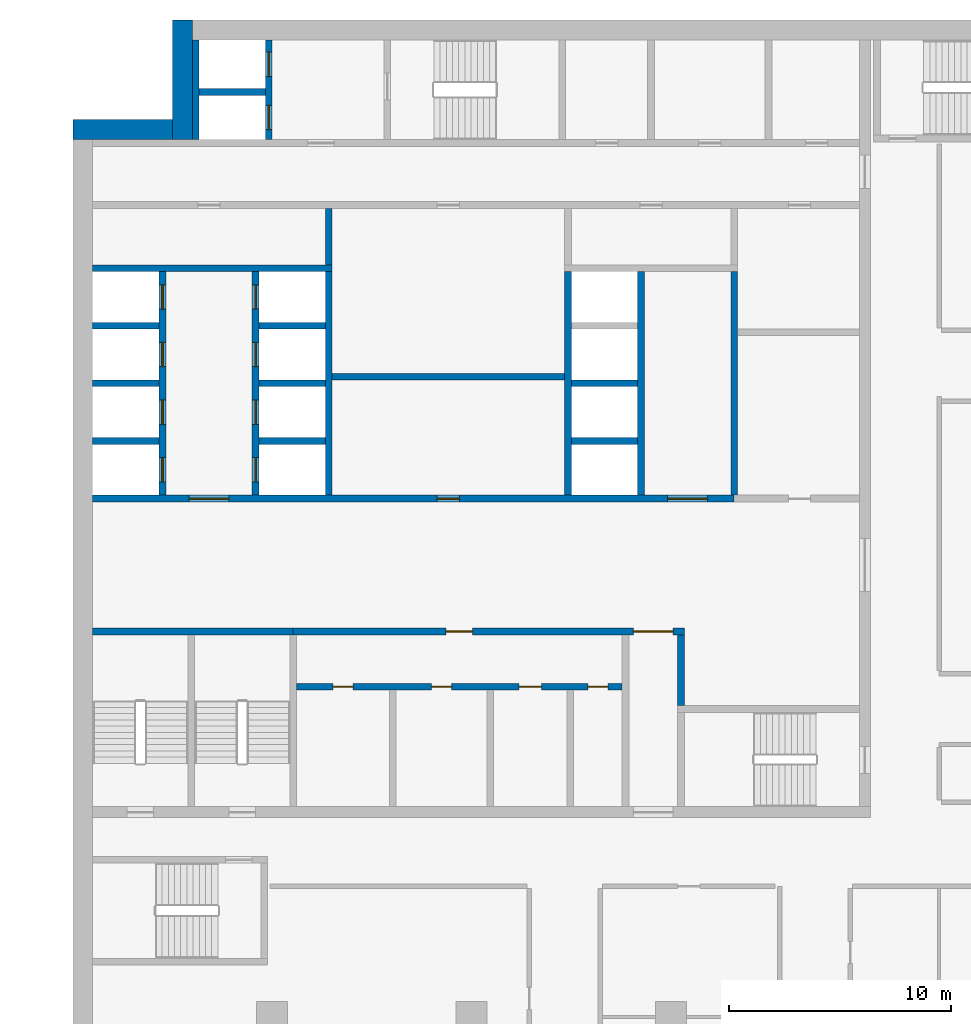
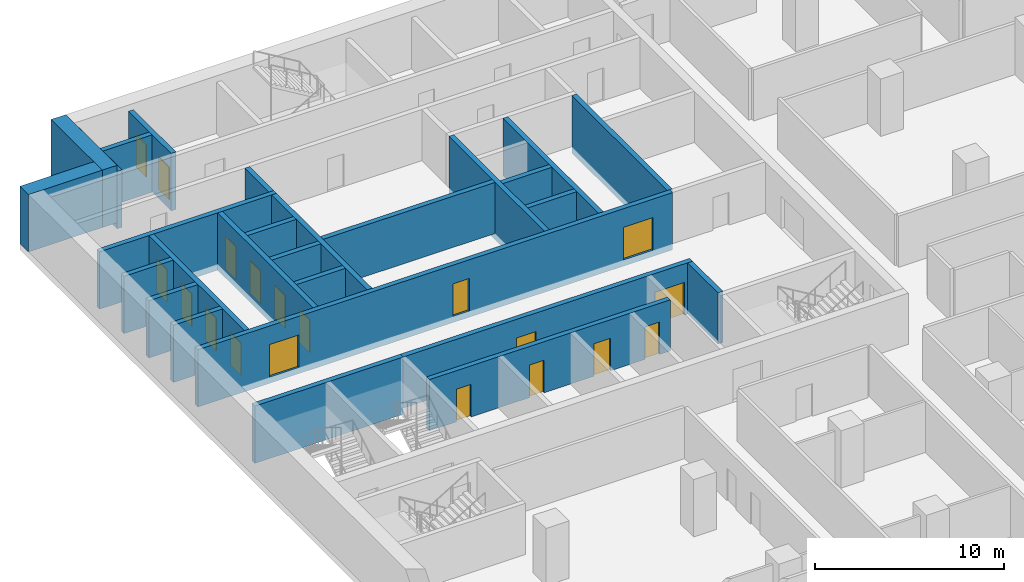
# One storey, part 14 of 28: 27 walls, 19 doors, 19 openings.
"""IFC4 building model written with IfcOpenShell, lengths in metres."""

from ifc_helpers import new_model, si_unit, direction, frame, frame_2d, origin, place, context, subcontext, project, spatial, rectangle, extrude, material, layer, layer_set, type_object, element, fill, save


model = new_model("IFC4")

# Units and contexts
model_context = context("Model", 3, precision=1e-05, world=origin(), true_north=direction((0.0, 1.0)))
body_context = subcontext(model_context, "Body", "Model", "MODEL_VIEW")
ifc_project = project(units=[si_unit("LENGTHUNIT", "METRE"), si_unit("AREAUNIT", "SQUARE_METRE"), si_unit("VOLUMEUNIT", "CUBIC_METRE"), si_unit("PLANEANGLEUNIT", "RADIAN"), si_unit("MASSUNIT", "GRAM", prefix="KILO")], contexts=[model_context])

# Site, building, storey
site_placement = place(None, origin())
site = spatial("IfcSite", under=ifc_project, at=site_placement, CompositionType="ELEMENT")
building_placement = place(site_placement, origin())
building = spatial("IfcBuilding", under=site, at=building_placement, Name="Hunhe Ridgeline Campus", CompositionType="ELEMENT")
storey_placement = place(building_placement, frame((0.0, 0.0, 61.699951171875)))
storey = spatial("IfcBuildingStorey", under=building, at=storey_placement, Name="L14", CompositionType="ELEMENT", Elevation=61.699951171875)

# Wall, openings, doors
ifc_material_1 = material(Name="Masonry concrete blockwork", Category="masonry")
ifc_layer_1 = layer(ifc_material_1, 0.300048828125)
ifc_layer_set_1 = layer_set([ifc_layer_1], Name="Core room partition 300 concrete block")
wall_type_1 = type_object("IfcWallType", Name="Core room partition 300 concrete block", PredefinedType="PARTITIONING", material=ifc_layer_set_1)
wall_1_placement = place(storey_placement, frame((10.10009765625, 68.89990234375, 0.0), z_axis=(0.0, 0.0, 1.0), x_axis=(1.0, 0.0, 0.0)))
wall_1 = element("IfcWall", 1, at=wall_1_placement, inside=storey, type_object=wall_type_1, Name="L14 core partition 11", PredefinedType="PARTITIONING", context=body_context, shape_type="SweptSolid", body=[
    extrude(rectangle(XDim=14.699951171875, YDim=0.300048828125, at=frame_2d((7.35009765625, 0.0))), origin(), (0.0, 0.0, 1.0), 3.300048828125),
])
opening_1_placement = place(wall_1_placement, frame((1.64990234375, 0.0, 0.0)))
opening_1 = element("IfcOpeningElement", 2, at=opening_1_placement, cuts=wall_1, Name="Opening CD8", PredefinedType="OPENING", context=body_context, shape_type="SweptSolid", body=[
    extrude(rectangle(XDim=0.89990234375, YDim=2.10009765625, at=frame_2d((0.449951171875, 1.050048828125))), frame((0.0, 0.14990234375, 0.0), z_axis=(0.0, -1.0, 0.0), x_axis=(1.0, 0.0, 0.0)), (0.0, 0.0, 1.0), 0.300048828125),
])
opening_2_placement = place(wall_1_placement, frame((6.10009765625, 0.0, 0.0)))
opening_2 = element("IfcOpeningElement", 3, at=opening_2_placement, cuts=wall_1, Name="Opening CD9", PredefinedType="OPENING", context=body_context, shape_type="SweptSolid", body=[
    extrude(rectangle(XDim=0.89990234375, YDim=2.10009765625, at=frame_2d((0.449951171875, 1.050048828125))), frame((0.0, 0.14990234375, 0.0), z_axis=(0.0, -1.0, 0.0), x_axis=(1.0, 0.0, 0.0)), (0.0, 0.0, 1.0), 0.300048828125),
])
opening_3_placement = place(wall_1_placement, frame((10.050048828125, 0.0, 0.0)))
opening_3 = element("IfcOpeningElement", 4, at=opening_3_placement, cuts=wall_1, Name="Opening CD10", PredefinedType="OPENING", context=body_context, shape_type="SweptSolid", body=[
    extrude(rectangle(XDim=1.0, YDim=2.10009765625, at=frame_2d((0.5, 1.050048828125))), frame((0.0, 0.14990234375, 0.0), z_axis=(0.0, -1.0, 0.0), x_axis=(1.0, 0.0, 0.0)), (0.0, 0.0, 1.0), 0.300048828125),
])
opening_4_placement = place(wall_1_placement, frame((13.14990234375, 0.0, 0.0)))
opening_4 = element("IfcOpeningElement", 5, at=opening_4_placement, cuts=wall_1, Name="Opening CD11", PredefinedType="OPENING", context=body_context, shape_type="SweptSolid", body=[
    extrude(rectangle(XDim=0.89990234375, YDim=2.10009765625, at=frame_2d((0.449951171875, 1.050048828125))), frame((0.0, 0.14990234375, 0.0), z_axis=(0.0, -1.0, 0.0), x_axis=(1.0, 0.0, 0.0)), (0.0, 0.0, 1.0), 0.300048828125),
])
ifc_material_2 = material(Name="Solid core timber door leaf", Category="wood")
door_type_1 = type_object("IfcDoorType", Name="Timber door 1000x2100", OperationType="SINGLE_SWING_LEFT", PredefinedType="DOOR", material=ifc_material_2)
door_1_placement = place(opening_3_placement, frame((1.0, 0.0, 0.0), z_axis=(0.0, 0.0, 1.0), x_axis=(-1.0, 0.0, 0.0)))
door_1 = element("IfcDoor", 6, at=door_1_placement, inside=storey, type_object=door_type_1, Name="L14 door WC3", OperationType="SINGLE_SWING_RIGHT", OverallHeight=2.10009765625, OverallWidth=1.0, PredefinedType="DOOR", context=body_context, shape_type="SweptSolid", body=[
    extrude(rectangle(XDim=1.0, YDim=2.10009765625, at=frame_2d((0.5, 1.050048828125))), frame((0.0, 0.02490234375, 0.0), z_axis=(0.0, -1.0, 0.0), x_axis=(1.0, 0.0, 0.0)), (0.0, 0.0, 1.0), 0.050048828125),
])
fill(opening_3, door_1)
door_type_2 = type_object("IfcDoorType", Name="Timber door 900x2100", OperationType="SINGLE_SWING_LEFT", PredefinedType="DOOR", material=ifc_material_2)
door_2_placement = place(opening_1_placement, frame((0.89990234375, 0.0, 0.0), z_axis=(0.0, 0.0, 1.0), x_axis=(-1.0, 0.0, 0.0)))
door_2 = element("IfcDoor", 7, at=door_2_placement, inside=storey, type_object=door_type_2, Name="L14 door WC1", OperationType="SINGLE_SWING_RIGHT", OverallHeight=2.10009765625, OverallWidth=0.89990234375, PredefinedType="DOOR", context=body_context, shape_type="SweptSolid", body=[
    extrude(rectangle(XDim=0.89990234375, YDim=2.10009765625, at=frame_2d((0.449951171875, 1.050048828125))), frame((0.0, 0.02490234375, 0.0), z_axis=(0.0, -1.0, 0.0), x_axis=(1.0, 0.0, 0.0)), (0.0, 0.0, 1.0), 0.050048828125),
])
fill(opening_1, door_2)
door_3_placement = place(opening_2_placement, frame((0.89990234375, 0.0, 0.0), z_axis=(0.0, 0.0, 1.0), x_axis=(-1.0, 0.0, 0.0)))
door_3 = element("IfcDoor", 8, at=door_3_placement, inside=storey, type_object=door_type_2, Name="L14 door WC2", OperationType="SINGLE_SWING_LEFT", OverallHeight=2.10009765625, OverallWidth=0.89990234375, PredefinedType="DOOR", context=body_context, shape_type="SweptSolid", body=[
    extrude(rectangle(XDim=0.89990234375, YDim=2.10009765625, at=frame_2d((0.449951171875, 1.050048828125))), frame((0.0, 0.02490234375, 0.0), z_axis=(0.0, -1.0, 0.0), x_axis=(1.0, 0.0, 0.0)), (0.0, 0.0, 1.0), 0.050048828125),
])
fill(opening_2, door_3)
door_4_placement = place(opening_4_placement, frame((0.89990234375, 0.0, 0.0), z_axis=(0.0, 0.0, 1.0), x_axis=(-1.0, 0.0, 0.0)))
door_4 = element("IfcDoor", 9, at=door_4_placement, inside=storey, type_object=door_type_2, Name="L14 door WC4", OperationType="SINGLE_SWING_LEFT", OverallHeight=2.10009765625, OverallWidth=0.89990234375, PredefinedType="DOOR", context=body_context, shape_type="SweptSolid", body=[
    extrude(rectangle(XDim=0.89990234375, YDim=2.10009765625, at=frame_2d((0.449951171875, 1.050048828125))), frame((0.0, 0.02490234375, 0.0), z_axis=(0.0, -1.0, 0.0), x_axis=(1.0, 0.0, 0.0)), (0.0, 0.0, 1.0), 0.050048828125),
])
fill(opening_4, door_4)

wall_2_placement = place(storey_placement, frame((9.949951171875, 71.39990234375, 0.0), z_axis=(0.0, 0.0, 1.0), x_axis=(1.0, 0.0, 0.0)))
wall_2 = element("IfcWall", 10, at=wall_2_placement, inside=storey, type_object=wall_type_1, Name="L14 core partition 13", PredefinedType="PARTITIONING", context=body_context, shape_type="SweptSolid", body=[
    extrude(rectangle(XDim=17.650146484375, YDim=0.300048828125, at=frame_2d((8.8251953125, 0.0))), origin(), (0.0, 0.0, 1.0), 3.300048828125),
])
opening_5_placement = place(wall_2_placement, frame((15.35009765625, 0.0, 0.0)))
opening_5 = element("IfcOpeningElement", 11, at=opening_5_placement, cuts=wall_2, Name="Opening CD7", PredefinedType="OPENING", context=body_context, shape_type="SweptSolid", body=[
    extrude(rectangle(XDim=1.800048828125, YDim=2.10009765625, at=frame_2d((0.89990234375, 1.050048828125))), frame((0.0, 0.14990234375, 0.0), z_axis=(0.0, -1.0, 0.0), x_axis=(1.0, 0.0, 0.0)), (0.0, 0.0, 1.0), 0.300048828125),
])
opening_6_placement = place(wall_2_placement, frame((6.89990234375, 0.0, 0.0)))
opening_6 = element("IfcOpeningElement", 12, at=opening_6_placement, cuts=wall_2, Name="Opening CD37", PredefinedType="OPENING", context=body_context, shape_type="SweptSolid", body=[
    extrude(rectangle(XDim=1.199951171875, YDim=2.10009765625, at=frame_2d((0.60009765625, 1.050048828125))), frame((0.0, 0.14990234375, 0.0), z_axis=(0.0, -1.0, 0.0), x_axis=(1.0, 0.0, 0.0)), (0.0, 0.0, 1.0), 0.300048828125),
])
ifc_material_3 = material(Name="Anodised aluminium and glass", Category="aluminium")
door_type_3 = type_object("IfcDoorType", Name="Glazed double door 1800x2100", OperationType="DOUBLE_DOOR_SINGLE_SWING", PredefinedType="DOOR", material=ifc_material_3)
door_5_placement = place(opening_5_placement, origin())
door_5 = element("IfcDoor", 13, at=door_5_placement, inside=storey, type_object=door_type_3, Name="L14 door VEST-HALL", OperationType="DOUBLE_DOOR_SINGLE_SWING", OverallHeight=2.10009765625, OverallWidth=1.800048828125, PredefinedType="DOOR", context=body_context, shape_type="SweptSolid", body=[
    extrude(rectangle(XDim=1.800048828125, YDim=2.10009765625, at=frame_2d((0.89990234375, 1.050048828125))), frame((0.0, 0.02490234375, 0.0), z_axis=(0.0, -1.0, 0.0), x_axis=(1.0, 0.0, 0.0)), (0.0, 0.0, 1.0), 0.050048828125),
])
fill(opening_5, door_5)
door_type_4 = type_object("IfcDoorType", Name="Timber door 1200x2100", OperationType="SINGLE_SWING_LEFT", PredefinedType="DOOR", material=ifc_material_2)
door_6_placement = place(opening_6_placement, origin())
door_6 = element("IfcDoor", 14, at=door_6_placement, inside=storey, type_object=door_type_4, Name="L14 door WCL1-HALL", OperationType="SINGLE_SWING_LEFT", OverallHeight=2.10009765625, OverallWidth=1.199951171875, PredefinedType="DOOR", context=body_context, shape_type="SweptSolid", body=[
    extrude(rectangle(XDim=1.199951171875, YDim=2.10009765625, at=frame_2d((0.60009765625, 1.050048828125))), frame((0.0, 0.02490234375, 0.0), z_axis=(0.0, -1.0, 0.0), x_axis=(1.0, 0.0, 0.0)), (0.0, 0.0, 1.0), 0.050048828125),
])
fill(opening_6, door_6)

# Walls
wall_3_placement = place(storey_placement, frame((11.699951171875, 82.89990234375, 0.0), z_axis=(0.0, 0.0, 1.0), x_axis=(1.0, 0.0, 0.0)))
element("IfcWall", 15, at=wall_3_placement, inside=storey, type_object=wall_type_1, Name="L14 core partition 22", PredefinedType="PARTITIONING", context=body_context, shape_type="SweptSolid", body=[
    extrude(rectangle(XDim=10.5, YDim=0.300048828125, at=frame_2d((5.25, 0.0))), origin(), (0.0, 0.0, 1.0), 3.300048828125),
])
wall_4_placement = place(storey_placement, frame((11.550048828125, 87.949951171875, 0.0), z_axis=(0.0, 0.0, 1.0), x_axis=(0.0, 1.0, 0.0)))
element("IfcWall", 16, at=wall_4_placement, inside=storey, type_object=wall_type_1, Name="L14 core partition 45", PredefinedType="PARTITIONING", context=body_context, shape_type="SweptSolid", body=[
    extrude(rectangle(XDim=2.550048828125, YDim=0.300048828125, at=frame_2d((1.27490234375, 0.0))), origin(), (0.0, 0.0, 1.0), 3.300048828125),
])
wall_5_placement = place(storey_placement, frame((27.449951171875, 68.050048828125, 0.0), z_axis=(0.0, 0.0, 1.0), x_axis=(0.0, 1.0, 0.0)))
element("IfcWall", 17, at=wall_5_placement, inside=storey, type_object=wall_type_1, Name="L14 core partition 59", PredefinedType="PARTITIONING", context=body_context, shape_type="SweptSolid", body=[
    extrude(rectangle(XDim=3.199951171875, YDim=0.300048828125, at=frame_2d((1.60009765625, 0.0))), origin(), (0.0, 0.0, 1.0), 3.300048828125),
])
ifc_material_4 = material(Name="Concrete C80", Category="concrete")
ifc_layer_2 = layer(ifc_material_4, 0.300048828125)
ifc_layer_set_2 = layer_set([ifc_layer_2], Name="Lobby wall 300 reinforced concrete C80")
wall_type_2 = type_object("IfcWallType", Name="Lobby wall 300 reinforced concrete C80", PredefinedType="SOLIDWALL", material=ifc_layer_set_2)
wall_6_placement = place(storey_placement, frame((29.85009765625, 77.550048828125, -0.39990234375), z_axis=(0.0, 0.0, 1.0), x_axis=(0.0, 1.0, 0.0)))
element("IfcWall", 18, at=wall_6_placement, inside=storey, type_object=wall_type_2, Name="L14 core wall 60", PredefinedType="SOLIDWALL", context=body_context, shape_type="SweptSolid", body=[
    extrude(rectangle(XDim=10.099853515625, YDim=0.300048828125, at=frame_2d((5.0498046875, 0.0))), origin(), (0.0, 0.0, 1.0), 3.699951171875),
])

# Wall, openings, doors
ifc_layer_3 = layer(ifc_material_4, 0.300048828125)
ifc_layer_set_3 = layer_set([ifc_layer_3], Name="Shaft wall 300 reinforced concrete C80")
wall_type_3 = type_object("IfcWallType", Name="Shaft wall 300 reinforced concrete C80", PredefinedType="SOLIDWALL", material=ifc_layer_set_3)
wall_7_placement = place(storey_placement, frame((0.89990234375, 77.39990234375, -0.39990234375), z_axis=(0.0, 0.0, 1.0), x_axis=(1.0, 0.0, 0.0)))
wall_7 = element("IfcWall", 19, at=wall_7_placement, inside=storey, type_object=wall_type_3, Name="L14 core wall 14", PredefinedType="SOLIDWALL", context=body_context, shape_type="SweptSolid", body=[
    extrude(rectangle(XDim=28.9501953125, YDim=0.300048828125, at=frame_2d((14.47509765625, 0.0))), origin(), (0.0, 0.0, 1.0), 3.699951171875),
])
opening_7_placement = place(wall_7_placement, frame((4.35009765625, 0.0, 0.39990234375)))
opening_7 = element("IfcOpeningElement", 20, at=opening_7_placement, cuts=wall_7, Name="Opening CD1", PredefinedType="OPENING", context=body_context, shape_type="SweptSolid", body=[
    extrude(rectangle(XDim=1.800048828125, YDim=2.10009765625, at=frame_2d((0.89990234375, 1.050048828125))), frame((0.0, 0.14990234375, 0.0), z_axis=(0.0, -1.0, 0.0), x_axis=(1.0, 0.0, 0.0)), (0.0, 0.0, 1.0), 0.300048828125),
])
opening_8_placement = place(wall_7_placement, frame((25.949951171875, 0.0, 0.39990234375)))
opening_8 = element("IfcOpeningElement", 21, at=opening_8_placement, cuts=wall_7, Name="Opening CD2", PredefinedType="OPENING", context=body_context, shape_type="SweptSolid", body=[
    extrude(rectangle(XDim=1.800048828125, YDim=2.10009765625, at=frame_2d((0.89990234375, 1.050048828125))), frame((0.0, 0.14990234375, 0.0), z_axis=(0.0, -1.0, 0.0), x_axis=(1.0, 0.0, 0.0)), (0.0, 0.0, 1.0), 0.300048828125),
])
opening_9_placement = place(wall_7_placement, frame((15.550048828125, 0.0, 0.39990234375)))
opening_9 = element("IfcOpeningElement", 22, at=opening_9_placement, cuts=wall_7, Name="Opening CD28", PredefinedType="OPENING", context=body_context, shape_type="SweptSolid", body=[
    extrude(rectangle(XDim=1.0, YDim=2.10009765625, at=frame_2d((0.5, 1.050048828125))), frame((0.0, 0.14990234375, 0.0), z_axis=(0.0, -1.0, 0.0), x_axis=(1.0, 0.0, 0.0)), (0.0, 0.0, 1.0), 0.300048828125),
])
ifc_material_5 = material(Name="Hollow metal fire door leaf")
door_type_5 = type_object("IfcDoorType", Name="Lobby door 1800x2100 FD60", OperationType="SINGLE_SWING_LEFT", PredefinedType="DOOR", material=ifc_material_5)
door_7_placement = place(opening_7_placement, frame((1.800048828125, 0.0, 0.0), z_axis=(0.0, 0.0, 1.0), x_axis=(-1.0, 0.0, 0.0)))
door_7 = element("IfcDoor", 23, at=door_7_placement, inside=storey, type_object=door_type_5, Name="L14 door LOB-LR", OperationType="SINGLE_SWING_RIGHT", OverallHeight=2.10009765625, OverallWidth=1.800048828125, PredefinedType="DOOR", context=body_context, shape_type="SweptSolid", body=[
    extrude(rectangle(XDim=1.800048828125, YDim=2.10009765625, at=frame_2d((0.89990234375, 1.050048828125))), frame((0.0, 0.02490234375, 0.0), z_axis=(0.0, -1.0, 0.0), x_axis=(1.0, 0.0, 0.0)), (0.0, 0.0, 1.0), 0.050048828125),
])
fill(opening_7, door_7)
door_8_placement = place(opening_8_placement, frame((1.800048828125, 0.0, 0.0), z_axis=(0.0, 0.0, 1.0), x_axis=(-1.0, 0.0, 0.0)))
door_8 = element("IfcDoor", 24, at=door_8_placement, inside=storey, type_object=door_type_5, Name="L14 door LOB-SH", OperationType="SINGLE_SWING_LEFT", OverallHeight=2.10009765625, OverallWidth=1.800048828125, PredefinedType="DOOR", context=body_context, shape_type="SweptSolid", body=[
    extrude(rectangle(XDim=1.800048828125, YDim=2.10009765625, at=frame_2d((0.89990234375, 1.050048828125))), frame((0.0, 0.02490234375, 0.0), z_axis=(0.0, -1.0, 0.0), x_axis=(1.0, 0.0, 0.0)), (0.0, 0.0, 1.0), 0.050048828125),
])
fill(opening_8, door_8)
door_9_placement = place(opening_9_placement, origin())
door_9 = element("IfcDoor", 25, at=door_9_placement, inside=storey, type_object=door_type_1, Name="L14 door VD-HR0", OperationType="SINGLE_SWING_LEFT", OverallHeight=2.10009765625, OverallWidth=1.0, PredefinedType="DOOR", context=body_context, shape_type="SweptSolid", body=[
    extrude(rectangle(XDim=1.0, YDim=2.10009765625, at=frame_2d((0.5, 1.050048828125))), frame((0.0, 0.02490234375, 0.0), z_axis=(0.0, -1.0, 0.0), x_axis=(1.0, 0.0, 0.0)), (0.0, 0.0, 1.0), 0.050048828125),
])
fill(opening_9, door_9)

# Walls
for number, where, z_axis, x_axis, name in (
    (26, (0.89990234375, 80.0, -0.39990234375), (0.0, 0.0, 1.0), (1.0, 0.0, 0.0), "L14 core wall 16"),
    (27, (8.39990234375, 80.0, -0.39990234375), (0.0, 0.0, 1.0), (1.0, 0.0, 0.0), "L14 core wall 17"),
    (28, (22.5, 80.0, -0.39990234375), (0.0, 0.0, 1.0), (1.0, 0.0, 0.0), "L14 core wall 18"),
    (29, (0.89990234375, 82.60009765625, -0.39990234375), (0.0, 0.0, 1.0), (1.0, 0.0, 0.0), "L14 core wall 19"),
    (30, (8.39990234375, 82.60009765625, -0.39990234375), (0.0, 0.0, 1.0), (1.0, 0.0, 0.0), "L14 core wall 20"),
    (31, (22.5, 82.60009765625, -0.39990234375), (0.0, 0.0, 1.0), (1.0, 0.0, 0.0), "L14 core wall 21"),
    (32, (0.89990234375, 85.199951171875, -0.39990234375), (0.0, 0.0, 1.0), (1.0, 0.0, 0.0), "L14 core wall 24"),
    (33, (8.39990234375, 85.199951171875, -0.39990234375), (0.0, 0.0, 1.0), (1.0, 0.0, 0.0), "L14 core wall 25"),
):
    element("IfcWall", number, at=place(storey_placement, frame(where, z_axis=z_axis, x_axis=x_axis)), inside=storey, type_object=wall_type_3, Name=name, PredefinedType="SOLIDWALL", context=body_context, shape_type="SweptSolid", body=[
        extrude(rectangle(XDim=3.0, YDim=0.300048828125, at=frame_2d((1.5, 0.0))), origin(), (0.0, 0.0, 1.0), 3.699951171875),
    ])
wall_8_placement = place(storey_placement, frame((0.89990234375, 87.800048828125, -0.39990234375), z_axis=(0.0, 0.0, 1.0), x_axis=(1.0, 0.0, 0.0)))
element("IfcWall", 34, at=wall_8_placement, inside=storey, type_object=wall_type_3, Name="L14 core wall 27", PredefinedType="SOLIDWALL", context=body_context, shape_type="SweptSolid", body=[
    extrude(rectangle(XDim=10.800048828125, YDim=0.300048828125, at=frame_2d((5.39990234375, 0.0))), origin(), (0.0, 0.0, 1.0), 3.699951171875),
])
wall_9_placement = place(storey_placement, frame((5.699951171875, 95.75, -0.39990234375), z_axis=(0.0, 0.0, 1.0), x_axis=(1.0, 0.0, 0.0)))
element("IfcWall", 35, at=wall_9_placement, inside=storey, type_object=wall_type_3, Name="L14 core wall 35", PredefinedType="SOLIDWALL", context=body_context, shape_type="SweptSolid", body=[
    extrude(rectangle(XDim=3.0, YDim=0.300048828125, at=frame_2d((1.5, 0.0))), origin(), (0.0, 0.0, 1.0), 3.699951171875),
])

# Wall, openings, doors
wall_10_placement = place(storey_placement, frame((4.050048828125, 77.550048828125, -0.39990234375), z_axis=(0.0, 0.0, 1.0), x_axis=(0.0, 1.0, 0.0)))
wall_10 = element("IfcWall", 36, at=wall_10_placement, inside=storey, type_object=wall_type_3, Name="L14 core wall 36", PredefinedType="SOLIDWALL", context=body_context, shape_type="SweptSolid", body=[
    extrude(rectangle(XDim=10.099853515625, YDim=0.300048828125, at=frame_2d((5.0498046875, 0.0))), origin(), (0.0, 0.0, 1.0), 3.699951171875),
])
opening_10_placement = place(wall_10_placement, frame((0.60009765625, 0.0, 0.39990234375)))
opening_10 = element("IfcOpeningElement", 37, at=opening_10_placement, cuts=wall_10, Name="Opening LD-LR1", PredefinedType="OPENING", context=body_context, shape_type="SweptSolid", body=[
    extrude(rectangle(XDim=1.10009765625, YDim=2.10009765625, at=frame_2d((0.550048828125, 1.050048828125))), frame((0.0, 0.14990234375, 0.0), z_axis=(0.0, -1.0, 0.0), x_axis=(1.0, 0.0, 0.0)), (0.0, 0.0, 1.0), 0.300048828125),
])
opening_11_placement = place(wall_10_placement, frame((3.199951171875, 0.0, 0.39990234375)))
opening_11 = element("IfcOpeningElement", 38, at=opening_11_placement, cuts=wall_10, Name="Opening LD-LR2", PredefinedType="OPENING", context=body_context, shape_type="SweptSolid", body=[
    extrude(rectangle(XDim=1.10009765625, YDim=2.10009765625, at=frame_2d((0.550048828125, 1.050048828125))), frame((0.0, 0.14990234375, 0.0), z_axis=(0.0, -1.0, 0.0), x_axis=(1.0, 0.0, 0.0)), (0.0, 0.0, 1.0), 0.300048828125),
])
opening_12_placement = place(wall_10_placement, frame((5.800048828125, 0.0, 0.39990234375)))
opening_12 = element("IfcOpeningElement", 39, at=opening_12_placement, cuts=wall_10, Name="Opening LD-LR3", PredefinedType="OPENING", context=body_context, shape_type="SweptSolid", body=[
    extrude(rectangle(XDim=1.10009765625, YDim=2.10009765625, at=frame_2d((0.550048828125, 1.050048828125))), frame((0.0, 0.14990234375, 0.0), z_axis=(0.0, -1.0, 0.0), x_axis=(1.0, 0.0, 0.0)), (0.0, 0.0, 1.0), 0.300048828125),
])
opening_13_placement = place(wall_10_placement, frame((8.39990234375, 0.0, 0.39990234375)))
opening_13 = element("IfcOpeningElement", 40, at=opening_13_placement, cuts=wall_10, Name="Opening LD-LR4", PredefinedType="OPENING", context=body_context, shape_type="SweptSolid", body=[
    extrude(rectangle(XDim=1.10009765625, YDim=2.10009765625, at=frame_2d((0.550048828125, 1.050048828125))), frame((0.0, 0.14990234375, 0.0), z_axis=(0.0, -1.0, 0.0), x_axis=(1.0, 0.0, 0.0)), (0.0, 0.0, 1.0), 0.300048828125),
])
ifc_material_6 = material(Name="Stainless steel sliding leaves", Category="steel")
door_type_6 = type_object("IfcDoorType", Name="Landing door 1100x2100 FD120", OperationType="SLIDING_TO_LEFT", PredefinedType="DOOR", material=ifc_material_6)
door_10_placement = place(opening_10_placement, origin())
door_10 = element("IfcDoor", 41, at=door_10_placement, inside=storey, type_object=door_type_6, Name="L14 landing door LR1", OperationType="SLIDING_TO_RIGHT", OverallHeight=2.10009765625, OverallWidth=1.10009765625, PredefinedType="DOOR", context=body_context, shape_type="SweptSolid", body=[
    extrude(rectangle(XDim=1.10009765625, YDim=2.10009765625, at=frame_2d((0.550048828125, 1.050048828125))), frame((0.0, 0.02490234375, 0.0), z_axis=(0.0, -1.0, 0.0), x_axis=(1.0, 0.0, 0.0)), (0.0, 0.0, 1.0), 0.050048828125),
])
fill(opening_10, door_10)
door_11_placement = place(opening_11_placement, origin())
door_11 = element("IfcDoor", 42, at=door_11_placement, inside=storey, type_object=door_type_6, Name="L14 landing door LR2", OperationType="SLIDING_TO_LEFT", OverallHeight=2.10009765625, OverallWidth=1.10009765625, PredefinedType="DOOR", context=body_context, shape_type="SweptSolid", body=[
    extrude(rectangle(XDim=1.10009765625, YDim=2.10009765625, at=frame_2d((0.550048828125, 1.050048828125))), frame((0.0, 0.02490234375, 0.0), z_axis=(0.0, -1.0, 0.0), x_axis=(1.0, 0.0, 0.0)), (0.0, 0.0, 1.0), 0.050048828125),
])
fill(opening_11, door_11)
door_12_placement = place(opening_12_placement, origin())
door_12 = element("IfcDoor", 43, at=door_12_placement, inside=storey, type_object=door_type_6, Name="L14 landing door LR3", OperationType="SLIDING_TO_RIGHT", OverallHeight=2.10009765625, OverallWidth=1.10009765625, PredefinedType="DOOR", context=body_context, shape_type="SweptSolid", body=[
    extrude(rectangle(XDim=1.10009765625, YDim=2.10009765625, at=frame_2d((0.550048828125, 1.050048828125))), frame((0.0, 0.02490234375, 0.0), z_axis=(0.0, -1.0, 0.0), x_axis=(1.0, 0.0, 0.0)), (0.0, 0.0, 1.0), 0.050048828125),
])
fill(opening_12, door_12)
door_13_placement = place(opening_13_placement, origin())
door_13 = element("IfcDoor", 44, at=door_13_placement, inside=storey, type_object=door_type_6, Name="L14 landing door LR4", OperationType="SLIDING_TO_LEFT", OverallHeight=2.10009765625, OverallWidth=1.10009765625, PredefinedType="DOOR", context=body_context, shape_type="SweptSolid", body=[
    extrude(rectangle(XDim=1.10009765625, YDim=2.10009765625, at=frame_2d((0.550048828125, 1.050048828125))), frame((0.0, 0.02490234375, 0.0), z_axis=(0.0, -1.0, 0.0), x_axis=(1.0, 0.0, 0.0)), (0.0, 0.0, 1.0), 0.050048828125),
])
fill(opening_13, door_13)

# Wall
wall_11_placement = place(storey_placement, frame((5.550048828125, 93.60009765625, -0.39990234375), z_axis=(0.0, 0.0, 1.0), x_axis=(0.0, 1.0, 0.0)))
element("IfcWall", 45, at=wall_11_placement, inside=storey, type_object=wall_type_3, Name="L14 core wall 38", PredefinedType="SOLIDWALL", context=body_context, shape_type="SweptSolid", body=[
    extrude(rectangle(XDim=4.5, YDim=0.300048828125, at=frame_2d((2.25, 0.0))), origin(), (0.0, 0.0, 1.0), 3.699951171875),
])

# Wall, openings, doors
wall_12_placement = place(storey_placement, frame((8.25, 77.550048828125, -0.39990234375), z_axis=(0.0, 0.0, 1.0), x_axis=(0.0, 1.0, 0.0)))
wall_12 = element("IfcWall", 46, at=wall_12_placement, inside=storey, type_object=wall_type_3, Name="L14 core wall 39", PredefinedType="SOLIDWALL", context=body_context, shape_type="SweptSolid", body=[
    extrude(rectangle(XDim=10.099853515625, YDim=0.300048828125, at=frame_2d((5.0498046875, 0.0))), origin(), (0.0, 0.0, 1.0), 3.699951171875),
])
opening_14_placement = place(wall_12_placement, frame((0.60009765625, 0.0, 0.39990234375)))
opening_14 = element("IfcOpeningElement", 47, at=opening_14_placement, cuts=wall_12, Name="Opening LD-LR5", PredefinedType="OPENING", context=body_context, shape_type="SweptSolid", body=[
    extrude(rectangle(XDim=1.10009765625, YDim=2.10009765625, at=frame_2d((0.550048828125, 1.050048828125))), frame((0.0, 0.14990234375, 0.0), z_axis=(0.0, -1.0, 0.0), x_axis=(1.0, 0.0, 0.0)), (0.0, 0.0, 1.0), 0.300048828125),
])
opening_15_placement = place(wall_12_placement, frame((3.199951171875, 0.0, 0.39990234375)))
opening_15 = element("IfcOpeningElement", 48, at=opening_15_placement, cuts=wall_12, Name="Opening LD-LR6", PredefinedType="OPENING", context=body_context, shape_type="SweptSolid", body=[
    extrude(rectangle(XDim=1.10009765625, YDim=2.10009765625, at=frame_2d((0.550048828125, 1.050048828125))), frame((0.0, 0.14990234375, 0.0), z_axis=(0.0, -1.0, 0.0), x_axis=(1.0, 0.0, 0.0)), (0.0, 0.0, 1.0), 0.300048828125),
])
opening_16_placement = place(wall_12_placement, frame((5.800048828125, 0.0, 0.39990234375)))
opening_16 = element("IfcOpeningElement", 49, at=opening_16_placement, cuts=wall_12, Name="Opening LD-LR7", PredefinedType="OPENING", context=body_context, shape_type="SweptSolid", body=[
    extrude(rectangle(XDim=1.10009765625, YDim=2.10009765625, at=frame_2d((0.550048828125, 1.050048828125))), frame((0.0, 0.14990234375, 0.0), z_axis=(0.0, -1.0, 0.0), x_axis=(1.0, 0.0, 0.0)), (0.0, 0.0, 1.0), 0.300048828125),
])
opening_17_placement = place(wall_12_placement, frame((8.39990234375, 0.0, 0.39990234375)))
opening_17 = element("IfcOpeningElement", 50, at=opening_17_placement, cuts=wall_12, Name="Opening LD-LR8", PredefinedType="OPENING", context=body_context, shape_type="SweptSolid", body=[
    extrude(rectangle(XDim=1.10009765625, YDim=2.10009765625, at=frame_2d((0.550048828125, 1.050048828125))), frame((0.0, 0.14990234375, 0.0), z_axis=(0.0, -1.0, 0.0), x_axis=(1.0, 0.0, 0.0)), (0.0, 0.0, 1.0), 0.300048828125),
])
door_14_placement = place(opening_14_placement, origin())
door_14 = element("IfcDoor", 51, at=door_14_placement, inside=storey, type_object=door_type_6, Name="L14 landing door LR5", OperationType="SLIDING_TO_RIGHT", OverallHeight=2.10009765625, OverallWidth=1.10009765625, PredefinedType="DOOR", context=body_context, shape_type="SweptSolid", body=[
    extrude(rectangle(XDim=1.10009765625, YDim=2.10009765625, at=frame_2d((0.550048828125, 1.050048828125))), frame((0.0, 0.02490234375, 0.0), z_axis=(0.0, -1.0, 0.0), x_axis=(1.0, 0.0, 0.0)), (0.0, 0.0, 1.0), 0.050048828125),
])
fill(opening_14, door_14)
door_15_placement = place(opening_15_placement, origin())
door_15 = element("IfcDoor", 52, at=door_15_placement, inside=storey, type_object=door_type_6, Name="L14 landing door LR6", OperationType="SLIDING_TO_LEFT", OverallHeight=2.10009765625, OverallWidth=1.10009765625, PredefinedType="DOOR", context=body_context, shape_type="SweptSolid", body=[
    extrude(rectangle(XDim=1.10009765625, YDim=2.10009765625, at=frame_2d((0.550048828125, 1.050048828125))), frame((0.0, 0.02490234375, 0.0), z_axis=(0.0, -1.0, 0.0), x_axis=(1.0, 0.0, 0.0)), (0.0, 0.0, 1.0), 0.050048828125),
])
fill(opening_15, door_15)
door_16_placement = place(opening_16_placement, origin())
door_16 = element("IfcDoor", 53, at=door_16_placement, inside=storey, type_object=door_type_6, Name="L14 landing door LR7", OperationType="SLIDING_TO_RIGHT", OverallHeight=2.10009765625, OverallWidth=1.10009765625, PredefinedType="DOOR", context=body_context, shape_type="SweptSolid", body=[
    extrude(rectangle(XDim=1.10009765625, YDim=2.10009765625, at=frame_2d((0.550048828125, 1.050048828125))), frame((0.0, 0.02490234375, 0.0), z_axis=(0.0, -1.0, 0.0), x_axis=(1.0, 0.0, 0.0)), (0.0, 0.0, 1.0), 0.050048828125),
])
fill(opening_16, door_16)
door_17_placement = place(opening_17_placement, origin())
door_17 = element("IfcDoor", 54, at=door_17_placement, inside=storey, type_object=door_type_6, Name="L14 landing door LR8", OperationType="SLIDING_TO_LEFT", OverallHeight=2.10009765625, OverallWidth=1.10009765625, PredefinedType="DOOR", context=body_context, shape_type="SweptSolid", body=[
    extrude(rectangle(XDim=1.10009765625, YDim=2.10009765625, at=frame_2d((0.550048828125, 1.050048828125))), frame((0.0, 0.02490234375, 0.0), z_axis=(0.0, -1.0, 0.0), x_axis=(1.0, 0.0, 0.0)), (0.0, 0.0, 1.0), 0.050048828125),
])
fill(opening_17, door_17)

wall_13_placement = place(storey_placement, frame((8.85009765625, 93.60009765625, -0.39990234375), z_axis=(0.0, 0.0, 1.0), x_axis=(0.0, 1.0, 0.0)))
wall_13 = element("IfcWall", 55, at=wall_13_placement, inside=storey, type_object=wall_type_3, Name="L14 core wall 42", PredefinedType="SOLIDWALL", context=body_context, shape_type="SweptSolid", body=[
    extrude(rectangle(XDim=4.5, YDim=0.300048828125, at=frame_2d((2.25, 0.0))), origin(), (0.0, 0.0, 1.0), 3.699951171875),
])
opening_18_placement = place(wall_13_placement, frame((0.449951171875, 0.0, 0.39990234375)))
opening_18 = element("IfcOpeningElement", 56, at=opening_18_placement, cuts=wall_13, Name="Opening LD-FF1", PredefinedType="OPENING", context=body_context, shape_type="SweptSolid", body=[
    extrude(rectangle(XDim=1.10009765625, YDim=2.10009765625, at=frame_2d((0.550048828125, 1.050048828125))), frame((0.0, 0.14990234375, 0.0), z_axis=(0.0, -1.0, 0.0), x_axis=(1.0, 0.0, 0.0)), (0.0, 0.0, 1.0), 0.300048828125),
])
opening_19_placement = place(wall_13_placement, frame((2.85009765625, 0.0, 0.39990234375)))
opening_19 = element("IfcOpeningElement", 57, at=opening_19_placement, cuts=wall_13, Name="Opening LD-FF2", PredefinedType="OPENING", context=body_context, shape_type="SweptSolid", body=[
    extrude(rectangle(XDim=1.10009765625, YDim=2.10009765625, at=frame_2d((0.550048828125, 1.050048828125))), frame((0.0, 0.14990234375, 0.0), z_axis=(0.0, -1.0, 0.0), x_axis=(1.0, 0.0, 0.0)), (0.0, 0.0, 1.0), 0.300048828125),
])
door_18_placement = place(opening_18_placement, origin())
door_18 = element("IfcDoor", 58, at=door_18_placement, inside=storey, type_object=door_type_6, Name="L14 landing door FF1", OperationType="SLIDING_TO_RIGHT", OverallHeight=2.10009765625, OverallWidth=1.10009765625, PredefinedType="DOOR", context=body_context, shape_type="SweptSolid", body=[
    extrude(rectangle(XDim=1.10009765625, YDim=2.10009765625, at=frame_2d((0.550048828125, 1.050048828125))), frame((0.0, 0.02490234375, 0.0), z_axis=(0.0, -1.0, 0.0), x_axis=(1.0, 0.0, 0.0)), (0.0, 0.0, 1.0), 0.050048828125),
])
fill(opening_18, door_18)
door_19_placement = place(opening_19_placement, origin())
door_19 = element("IfcDoor", 59, at=door_19_placement, inside=storey, type_object=door_type_6, Name="L14 landing door FF2", OperationType="SLIDING_TO_LEFT", OverallHeight=2.10009765625, OverallWidth=1.10009765625, PredefinedType="DOOR", context=body_context, shape_type="SweptSolid", body=[
    extrude(rectangle(XDim=1.10009765625, YDim=2.10009765625, at=frame_2d((0.550048828125, 1.050048828125))), frame((0.0, 0.02490234375, 0.0), z_axis=(0.0, -1.0, 0.0), x_axis=(1.0, 0.0, 0.0)), (0.0, 0.0, 1.0), 0.050048828125),
])
fill(opening_19, door_19)

# Walls
for number, where, z_axis, x_axis, name in (
    (60, (11.550048828125, 77.550048828125, -0.39990234375), (0.0, 0.0, 1.0), (0.0, 1.0, 0.0), "L14 core wall 44"),
    (61, (22.35009765625, 77.550048828125, -0.39990234375), (0.0, 0.0, 1.0), (0.0, 1.0, 0.0), "L14 core wall 51"),
    (62, (25.64990234375, 77.550048828125, -0.39990234375), (0.0, 0.0, 1.0), (0.0, 1.0, 0.0), "L14 core wall 56"),
):
    element("IfcWall", number, at=place(storey_placement, frame(where, z_axis=z_axis, x_axis=x_axis)), inside=storey, type_object=wall_type_3, Name=name, PredefinedType="SOLIDWALL", context=body_context, shape_type="SweptSolid", body=[
        extrude(rectangle(XDim=10.099853515625, YDim=0.300048828125, at=frame_2d((5.0498046875, 0.0))), origin(), (0.0, 0.0, 1.0), 3.699951171875),
    ])
ifc_layer_4 = layer(ifc_material_4, 0.89990234375)
ifc_layer_set_4 = layer_set([ifc_layer_4], Name="Spine wall 900 Concrete C80")
wall_type_4 = type_object("IfcWallType", Name="Spine wall 900 Concrete C80", PredefinedType="SHEAR", material=ifc_layer_set_4)
for number, where, z_axis, x_axis, name in (
    (63, (4.949951171875, 99.0, 0.0), (0.0, 0.0, 1.0), (0.0, -1.0, 0.0), "Spine wall SW1-5 L14"),
    (64, (5.400146484375, 94.050048828125, 0.0), (0.0, 0.0, 1.0), (-1.0, 0.0, 0.0), "Spine wall SW1-6 L14"),
):
    element("IfcWall", number, at=place(storey_placement, frame(where, z_axis=z_axis, x_axis=x_axis)), inside=storey, type_object=wall_type_4, Name=name, PredefinedType="SHEAR", context=body_context, shape_type="SweptSolid", body=[
        extrude(rectangle(XDim=5.400146484375, YDim=0.89990234375, at=frame_2d((2.7001953125, 0.0))), origin(), (0.0, 0.0, 1.0), 3.699951171875),
    ])
ifc_layer_5 = layer(ifc_material_4, 0.300048828125)
ifc_layer_set_5 = layer_set([ifc_layer_5], Name="Stair wall 300 reinforced concrete C80")
wall_type_5 = type_object("IfcWallType", Name="Stair wall 300 reinforced concrete C80", PredefinedType="SOLIDWALL", material=ifc_layer_set_5)
wall_14_placement = place(storey_placement, frame((0.89990234375, 71.39990234375, -0.39990234375), z_axis=(0.0, 0.0, 1.0), x_axis=(1.0, 0.0, 0.0)))
element("IfcWall", 65, at=wall_14_placement, inside=storey, type_object=wall_type_5, Name="L14 core wall 12", PredefinedType="SOLIDWALL", context=body_context, shape_type="SweptSolid", body=[
    extrude(rectangle(XDim=9.050048828125, YDim=0.300048828125, at=frame_2d((4.52490234375, 0.0))), origin(), (0.0, 0.0, 1.0), 3.699951171875),
])

save(model, "model.ifc")
